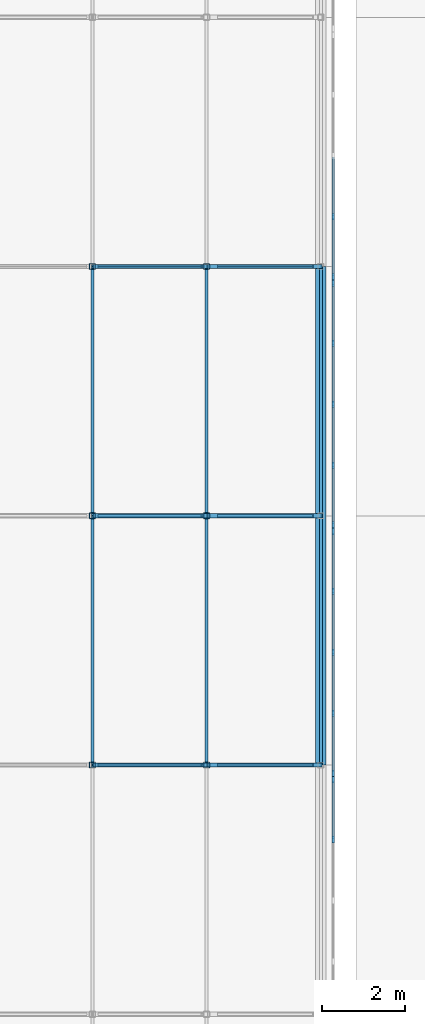
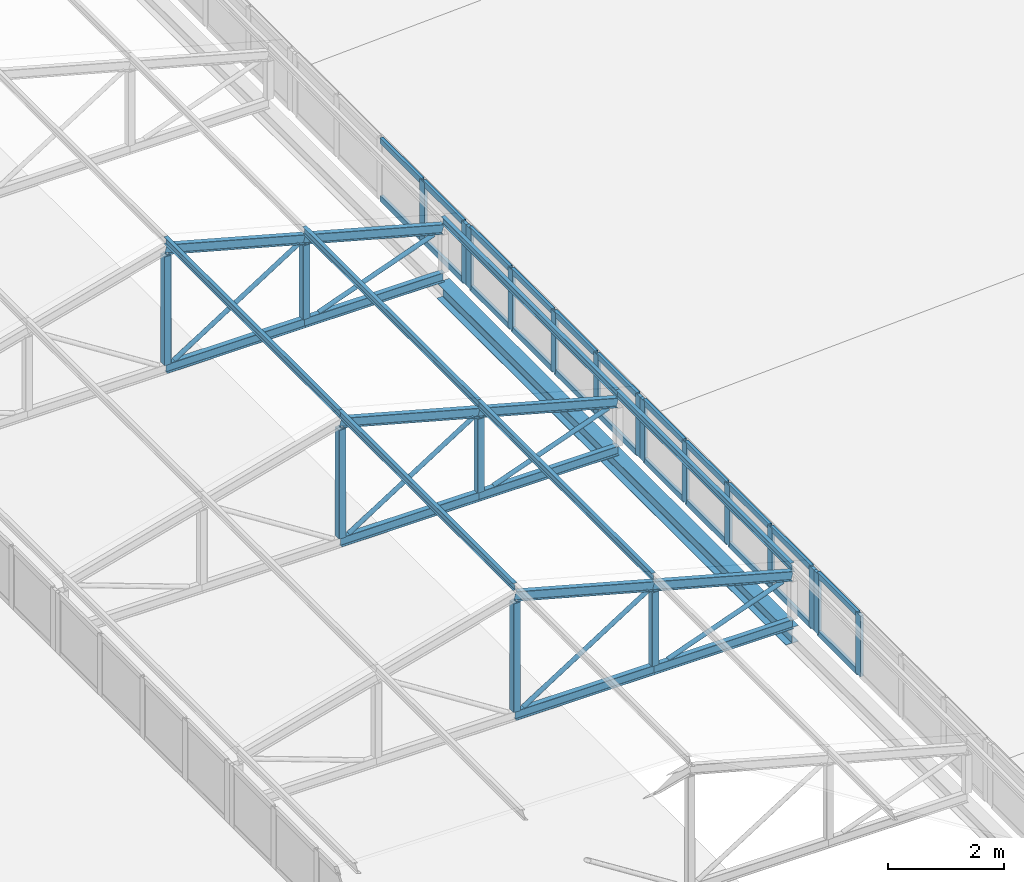
# One storey, part 55 of 94: 66 members, 1 beam, 4 elements without a shape of their own.
"""IFC4 building model written with IfcOpenShell, lengths in metres."""

from ifc_helpers import new_model, si_unit, direction, frame, origin, origin_2d, place, context, subcontext, project, spatial, rectangle, hollow_rectangle, hollow_circle, i_section, extrude, material, layer, layer_set, material_profile, profile_set, type_object, element, aggregate, save


model = new_model("IFC4")

# Units and contexts
model_context = context("Model", 3, precision=1e-05, world=origin(), true_north=direction((0.0, 1.0)))
body_context = subcontext(model_context, "Body", "Model", "MODEL_VIEW")
ifc_project = project(units=[si_unit("LENGTHUNIT", "METRE"), si_unit("AREAUNIT", "SQUARE_METRE"), si_unit("VOLUMEUNIT", "CUBIC_METRE"), si_unit("PLANEANGLEUNIT", "RADIAN"), si_unit("MASSUNIT", "GRAM", prefix="KILO")], contexts=[model_context])

# Site, building, storey
site_placement = place(None, origin())
site = spatial("IfcSite", under=ifc_project, at=site_placement, CompositionType="ELEMENT")
building_placement = place(site_placement, origin())
building = spatial("IfcBuilding", under=site, at=building_placement, Name="Lilac Gate Convention Centre", CompositionType="ELEMENT")
storey_placement = place(building_placement, frame((0.0, 0.0, 21.0)))
storey = spatial("IfcBuildingStorey", under=building, at=storey_placement, Name="L04", CompositionType="ELEMENT", Elevation=21.0)

# Curtain wall, members
ifc_material_1 = material(Name="Aluminium framed double glazing", Category="aluminium")
ifc_layer = layer(ifc_material_1, 0.199951171875)
ifc_layer_set = layer_set([ifc_layer], Name="Aluminium framed double glazing")
curtain_wall_type = type_object("IfcCurtainWallType", Name="Unitised curtain wall 1500", PredefinedType="NOTDEFINED", material=ifc_layer_set)
curtain_wall_1_placement = place(storey_placement, origin())
curtain_wall_1 = element("IfcCurtainWall", 1, at=curtain_wall_1_placement, inside=storey, type_object=curtain_wall_type, Name="Lantern clerestory E 27", PredefinedType="NOTDEFINED")
ifc_material_2 = material(Name="Aluminium alloy 6063", Category="aluminium")
ifc_material_profile_1 = material_profile(ifc_material_2, rectangle(XDim=0.06005859375, YDim=0.159912109375, at=origin_2d()), Name="Curtain wall mullion 60 x 160")
ifc_profile_set_1 = profile_set([ifc_material_profile_1], Name="Aluminium alloy 6063")
member_type_1 = type_object("IfcMemberType", Name="Curtain wall mullion 60 x 160", PredefinedType="MULLION", material=ifc_profile_set_1)
member_1_placement = place(storey_placement, frame((28.89990234375, 190.206298828125, 0.0), z_axis=(0.0, 0.0, 1.0), x_axis=(-1.0, 0.0, 0.0)))
member_1 = element("IfcMember", 2, at=member_1_placement, type_object=member_type_1, Name="CW mullion 4", PredefinedType="MULLION", context=body_context, shape_type="SweptSolid", body=[
    extrude(rectangle(XDim=0.06005859375, YDim=0.159912109375, at=origin_2d()), origin(), (0.0, 0.0, 1.0), 1.272216796875),
])
member_2_placement = place(storey_placement, frame((28.89990234375, 191.64501953125, 0.0), z_axis=(0.0, 0.0, 1.0), x_axis=(-1.0, 0.0, 0.0)))
member_2 = element("IfcMember", 3, at=member_2_placement, type_object=member_type_1, Name="CW mullion 5", PredefinedType="MULLION", context=body_context, shape_type="SweptSolid", body=[
    extrude(rectangle(XDim=0.06005859375, YDim=0.159912109375, at=origin_2d()), origin(), (0.0, 0.0, 1.0), 1.272216796875),
])

curtain_wall_2_placement = place(storey_placement, origin())
curtain_wall_2 = element("IfcCurtainWall", 4, at=curtain_wall_2_placement, inside=storey, type_object=curtain_wall_type, Name="Lantern clerestory E 28", PredefinedType="NOTDEFINED")
member_3_placement = place(storey_placement, frame((28.89990234375, 191.804931640625, 0.0), z_axis=(0.0, 0.0, 1.0), x_axis=(-1.0, 0.0, 0.0)))
member_3 = element("IfcMember", 5, at=member_3_placement, type_object=member_type_1, Name="CW mullion 1", PredefinedType="MULLION", context=body_context, shape_type="SweptSolid", body=[
    extrude(rectangle(XDim=0.06005859375, YDim=0.159912109375, at=origin_2d()), origin(), (0.0, 0.0, 1.0), 1.272216796875),
])
member_4_placement = place(storey_placement, frame((28.89990234375, 193.24365234375, 0.0), z_axis=(0.0, 0.0, 1.0), x_axis=(-1.0, 0.0, 0.0)))
member_4 = element("IfcMember", 6, at=member_4_placement, type_object=member_type_1, Name="CW mullion 2", PredefinedType="MULLION", context=body_context, shape_type="SweptSolid", body=[
    extrude(rectangle(XDim=0.06005859375, YDim=0.159912109375, at=origin_2d()), origin(), (0.0, 0.0, 1.0), 1.272216796875),
])
member_5_placement = place(storey_placement, frame((28.89990234375, 194.71240234375, 0.0), z_axis=(0.0, 0.0, 1.0), x_axis=(-1.0, 0.0, 0.0)))
member_5 = element("IfcMember", 7, at=member_5_placement, type_object=member_type_1, Name="CW mullion 3", PredefinedType="MULLION", context=body_context, shape_type="SweptSolid", body=[
    extrude(rectangle(XDim=0.06005859375, YDim=0.159912109375, at=origin_2d()), origin(), (0.0, 0.0, 1.0), 1.272216796875),
])
member_6_placement = place(storey_placement, frame((28.89990234375, 196.18115234375, 0.0), z_axis=(0.0, 0.0, 1.0), x_axis=(-1.0, 0.0, 0.0)))
member_6 = element("IfcMember", 8, at=member_6_placement, type_object=member_type_1, Name="CW mullion 4", PredefinedType="MULLION", context=body_context, shape_type="SweptSolid", body=[
    extrude(rectangle(XDim=0.06005859375, YDim=0.159912109375, at=origin_2d()), origin(), (0.0, 0.0, 1.0), 1.272216796875),
])
member_7_placement = place(storey_placement, frame((28.89990234375, 197.619873046875, 0.0), z_axis=(0.0, 0.0, 1.0), x_axis=(-1.0, 0.0, 0.0)))
member_7 = element("IfcMember", 9, at=member_7_placement, type_object=member_type_1, Name="CW mullion 5", PredefinedType="MULLION", context=body_context, shape_type="SweptSolid", body=[
    extrude(rectangle(XDim=0.06005859375, YDim=0.159912109375, at=origin_2d()), origin(), (0.0, 0.0, 1.0), 1.272216796875),
])

curtain_wall_3_placement = place(storey_placement, origin())
curtain_wall_3 = element("IfcCurtainWall", 10, at=curtain_wall_3_placement, inside=storey, type_object=curtain_wall_type, Name="Lantern clerestory E 29", PredefinedType="NOTDEFINED")
member_8_placement = place(storey_placement, frame((28.89990234375, 197.780029296875, 0.0), z_axis=(0.0, 0.0, 1.0), x_axis=(-1.0, 0.0, 0.0)))
member_8 = element("IfcMember", 11, at=member_8_placement, type_object=member_type_1, Name="CW mullion 1", PredefinedType="MULLION", context=body_context, shape_type="SweptSolid", body=[
    extrude(rectangle(XDim=0.06005859375, YDim=0.159912109375, at=origin_2d()), origin(), (0.0, 0.0, 1.0), 1.272216796875),
])
member_9_placement = place(storey_placement, frame((28.89990234375, 199.21875, 0.0), z_axis=(0.0, 0.0, 1.0), x_axis=(-1.0, 0.0, 0.0)))
member_9 = element("IfcMember", 12, at=member_9_placement, type_object=member_type_1, Name="CW mullion 2", PredefinedType="MULLION", context=body_context, shape_type="SweptSolid", body=[
    extrude(rectangle(XDim=0.06005859375, YDim=0.159912109375, at=origin_2d()), origin(), (0.0, 0.0, 1.0), 1.272216796875),
])
member_10_placement = place(storey_placement, frame((28.89990234375, 200.6875, 0.0), z_axis=(0.0, 0.0, 1.0), x_axis=(-1.0, 0.0, 0.0)))
member_10 = element("IfcMember", 13, at=member_10_placement, type_object=member_type_1, Name="CW mullion 3", PredefinedType="MULLION", context=body_context, shape_type="SweptSolid", body=[
    extrude(rectangle(XDim=0.06005859375, YDim=0.159912109375, at=origin_2d()), origin(), (0.0, 0.0, 1.0), 1.272216796875),
])
member_11_placement = place(storey_placement, frame((28.89990234375, 202.15625, 0.0), z_axis=(0.0, 0.0, 1.0), x_axis=(-1.0, 0.0, 0.0)))
member_11 = element("IfcMember", 14, at=member_11_placement, type_object=member_type_1, Name="CW mullion 4", PredefinedType="MULLION", context=body_context, shape_type="SweptSolid", body=[
    extrude(rectangle(XDim=0.06005859375, YDim=0.159912109375, at=origin_2d()), origin(), (0.0, 0.0, 1.0), 1.272216796875),
])
member_12_placement = place(storey_placement, frame((28.89990234375, 203.594970703125, 0.0), z_axis=(0.0, 0.0, 1.0), x_axis=(-1.0, 0.0, 0.0)))
member_12 = element("IfcMember", 15, at=member_12_placement, type_object=member_type_1, Name="CW mullion 5", PredefinedType="MULLION", context=body_context, shape_type="SweptSolid", body=[
    extrude(rectangle(XDim=0.06005859375, YDim=0.159912109375, at=origin_2d()), origin(), (0.0, 0.0, 1.0), 1.272216796875),
])

curtain_wall_4_placement = place(storey_placement, origin())
curtain_wall_4 = element("IfcCurtainWall", 16, at=curtain_wall_4_placement, inside=storey, type_object=curtain_wall_type, Name="Lantern clerestory E 30", PredefinedType="NOTDEFINED")
member_13_placement = place(storey_placement, frame((28.89990234375, 203.755126953125, 0.0), z_axis=(0.0, 0.0, 1.0), x_axis=(-1.0, 0.0, 0.0)))
member_13 = element("IfcMember", 17, at=member_13_placement, type_object=member_type_1, Name="CW mullion 1", PredefinedType="MULLION", context=body_context, shape_type="SweptSolid", body=[
    extrude(rectangle(XDim=0.06005859375, YDim=0.159912109375, at=origin_2d()), origin(), (0.0, 0.0, 1.0), 1.272216796875),
])
member_14_placement = place(storey_placement, frame((28.89990234375, 205.19384765625, 0.0), z_axis=(0.0, 0.0, 1.0), x_axis=(-1.0, 0.0, 0.0)))
member_14 = element("IfcMember", 18, at=member_14_placement, type_object=member_type_1, Name="CW mullion 2", PredefinedType="MULLION", context=body_context, shape_type="SweptSolid", body=[
    extrude(rectangle(XDim=0.06005859375, YDim=0.159912109375, at=origin_2d()), origin(), (0.0, 0.0, 1.0), 1.272216796875),
])

# Member
ifc_material_profile_2 = material_profile(ifc_material_2, rectangle(XDim=0.06005859375, YDim=0.1201171875, at=origin_2d()), Name="Curtain wall transom 60 x 120")
ifc_profile_set_2 = profile_set([ifc_material_profile_2], Name="Aluminium alloy 6063")
member_type_2 = type_object("IfcMemberType", Name="Curtain wall transom 60 x 120", PredefinedType="USERDEFINED", material=ifc_profile_set_2)
member_15_placement = place(storey_placement, frame((28.89990234375, 190.236328125, 0.030029296875), z_axis=(0.0, 1.0, 0.0), x_axis=(-1.0, 0.0, 0.0)))
member_15 = element("IfcMember", 19, at=member_15_placement, type_object=member_type_2, Name="CW transom 4.1", ObjectType="TRANSOM", PredefinedType="USERDEFINED", context=body_context, shape_type="SweptSolid", body=[
    extrude(rectangle(XDim=0.06005859375, YDim=0.1201171875, at=origin_2d()), origin(), (0.0, 0.0, 1.0), 1.378662109375),
])

member_16_placement = place(storey_placement, frame((28.89990234375, 190.236328125, 1.2421875), z_axis=(0.0, 1.0, 0.0), x_axis=(-1.0, 0.0, 0.0)))
member_16 = element("IfcMember", 20, at=member_16_placement, type_object=member_type_2, Name="CW transom 4.2", ObjectType="TRANSOM", PredefinedType="USERDEFINED", context=body_context, shape_type="SweptSolid", body=[
    extrude(rectangle(XDim=0.06005859375, YDim=0.1201171875, at=origin_2d()), origin(), (0.0, 0.0, 1.0), 1.378662109375),
])

aggregate(curtain_wall_1, [member_1, member_2, member_15, member_16])

member_17_placement = place(storey_placement, frame((28.89990234375, 191.8349609375, 0.030029296875), z_axis=(0.0, 1.0, 0.0), x_axis=(-1.0, 0.0, 0.0)))
member_17 = element("IfcMember", 21, at=member_17_placement, type_object=member_type_2, Name="CW transom 1.1", ObjectType="TRANSOM", PredefinedType="USERDEFINED", context=body_context, shape_type="SweptSolid", body=[
    extrude(rectangle(XDim=0.06005859375, YDim=0.1201171875, at=origin_2d()), origin(), (0.0, 0.0, 1.0), 1.378662109375),
])

member_18_placement = place(storey_placement, frame((28.89990234375, 191.8349609375, 1.2421875), z_axis=(0.0, 1.0, 0.0), x_axis=(-1.0, 0.0, 0.0)))
member_18 = element("IfcMember", 22, at=member_18_placement, type_object=member_type_2, Name="CW transom 1.2", ObjectType="TRANSOM", PredefinedType="USERDEFINED", context=body_context, shape_type="SweptSolid", body=[
    extrude(rectangle(XDim=0.06005859375, YDim=0.1201171875, at=origin_2d()), origin(), (0.0, 0.0, 1.0), 1.378662109375),
])

member_19_placement = place(storey_placement, frame((28.89990234375, 193.273681640625, 0.030029296875), z_axis=(0.0, 1.0, 0.0), x_axis=(-1.0, 0.0, 0.0)))
member_19 = element("IfcMember", 23, at=member_19_placement, type_object=member_type_2, Name="CW transom 2.1", ObjectType="TRANSOM", PredefinedType="USERDEFINED", context=body_context, shape_type="SweptSolid", body=[
    extrude(rectangle(XDim=0.06005859375, YDim=0.1201171875, at=origin_2d()), origin(), (0.0, 0.0, 1.0), 1.40869140625),
])

member_20_placement = place(storey_placement, frame((28.89990234375, 193.273681640625, 1.2421875), z_axis=(0.0, 1.0, 0.0), x_axis=(-1.0, 0.0, 0.0)))
member_20 = element("IfcMember", 24, at=member_20_placement, type_object=member_type_2, Name="CW transom 2.2", ObjectType="TRANSOM", PredefinedType="USERDEFINED", context=body_context, shape_type="SweptSolid", body=[
    extrude(rectangle(XDim=0.06005859375, YDim=0.1201171875, at=origin_2d()), origin(), (0.0, 0.0, 1.0), 1.40869140625),
])

member_21_placement = place(storey_placement, frame((28.89990234375, 194.742431640625, 0.030029296875), z_axis=(0.0, 1.0, 0.0), x_axis=(-1.0, 0.0, 0.0)))
member_21 = element("IfcMember", 25, at=member_21_placement, type_object=member_type_2, Name="CW transom 3.1", ObjectType="TRANSOM", PredefinedType="USERDEFINED", context=body_context, shape_type="SweptSolid", body=[
    extrude(rectangle(XDim=0.06005859375, YDim=0.1201171875, at=origin_2d()), origin(), (0.0, 0.0, 1.0), 1.40869140625),
])

member_22_placement = place(storey_placement, frame((28.89990234375, 194.742431640625, 1.2421875), z_axis=(0.0, 1.0, 0.0), x_axis=(-1.0, 0.0, 0.0)))
member_22 = element("IfcMember", 26, at=member_22_placement, type_object=member_type_2, Name="CW transom 3.2", ObjectType="TRANSOM", PredefinedType="USERDEFINED", context=body_context, shape_type="SweptSolid", body=[
    extrude(rectangle(XDim=0.06005859375, YDim=0.1201171875, at=origin_2d()), origin(), (0.0, 0.0, 1.0), 1.40869140625),
])

member_23_placement = place(storey_placement, frame((28.89990234375, 196.211181640625, 0.030029296875), z_axis=(0.0, 1.0, 0.0), x_axis=(-1.0, 0.0, 0.0)))
member_23 = element("IfcMember", 27, at=member_23_placement, type_object=member_type_2, Name="CW transom 4.1", ObjectType="TRANSOM", PredefinedType="USERDEFINED", context=body_context, shape_type="SweptSolid", body=[
    extrude(rectangle(XDim=0.06005859375, YDim=0.1201171875, at=origin_2d()), origin(), (0.0, 0.0, 1.0), 1.378662109375),
])

member_24_placement = place(storey_placement, frame((28.89990234375, 196.211181640625, 1.2421875), z_axis=(0.0, 1.0, 0.0), x_axis=(-1.0, 0.0, 0.0)))
member_24 = element("IfcMember", 28, at=member_24_placement, type_object=member_type_2, Name="CW transom 4.2", ObjectType="TRANSOM", PredefinedType="USERDEFINED", context=body_context, shape_type="SweptSolid", body=[
    extrude(rectangle(XDim=0.06005859375, YDim=0.1201171875, at=origin_2d()), origin(), (0.0, 0.0, 1.0), 1.378662109375),
])

aggregate(curtain_wall_2, [member_3, member_4, member_5, member_6, member_7, member_17, member_18, member_19, member_20, member_21, member_22, member_23, member_24])

member_25_placement = place(storey_placement, frame((28.89990234375, 197.81005859375, 0.030029296875), z_axis=(0.0, 1.0, 0.0), x_axis=(-1.0, 0.0, 0.0)))
member_25 = element("IfcMember", 29, at=member_25_placement, type_object=member_type_2, Name="CW transom 1.1", ObjectType="TRANSOM", PredefinedType="USERDEFINED", context=body_context, shape_type="SweptSolid", body=[
    extrude(rectangle(XDim=0.06005859375, YDim=0.1201171875, at=origin_2d()), origin(), (0.0, 0.0, 1.0), 1.378662109375),
])

member_26_placement = place(storey_placement, frame((28.89990234375, 197.81005859375, 1.2421875), z_axis=(0.0, 1.0, 0.0), x_axis=(-1.0, 0.0, 0.0)))
member_26 = element("IfcMember", 30, at=member_26_placement, type_object=member_type_2, Name="CW transom 1.2", ObjectType="TRANSOM", PredefinedType="USERDEFINED", context=body_context, shape_type="SweptSolid", body=[
    extrude(rectangle(XDim=0.06005859375, YDim=0.1201171875, at=origin_2d()), origin(), (0.0, 0.0, 1.0), 1.378662109375),
])

member_27_placement = place(storey_placement, frame((28.89990234375, 199.248779296875, 0.030029296875), z_axis=(0.0, 1.0, 0.0), x_axis=(-1.0, 0.0, 0.0)))
member_27 = element("IfcMember", 31, at=member_27_placement, type_object=member_type_2, Name="CW transom 2.1", ObjectType="TRANSOM", PredefinedType="USERDEFINED", context=body_context, shape_type="SweptSolid", body=[
    extrude(rectangle(XDim=0.06005859375, YDim=0.1201171875, at=origin_2d()), origin(), (0.0, 0.0, 1.0), 1.40869140625),
])

member_28_placement = place(storey_placement, frame((28.89990234375, 199.248779296875, 1.2421875), z_axis=(0.0, 1.0, 0.0), x_axis=(-1.0, 0.0, 0.0)))
member_28 = element("IfcMember", 32, at=member_28_placement, type_object=member_type_2, Name="CW transom 2.2", ObjectType="TRANSOM", PredefinedType="USERDEFINED", context=body_context, shape_type="SweptSolid", body=[
    extrude(rectangle(XDim=0.06005859375, YDim=0.1201171875, at=origin_2d()), origin(), (0.0, 0.0, 1.0), 1.40869140625),
])

member_29_placement = place(storey_placement, frame((28.89990234375, 200.717529296875, 0.030029296875), z_axis=(0.0, 1.0, 0.0), x_axis=(-1.0, 0.0, 0.0)))
member_29 = element("IfcMember", 33, at=member_29_placement, type_object=member_type_2, Name="CW transom 3.1", ObjectType="TRANSOM", PredefinedType="USERDEFINED", context=body_context, shape_type="SweptSolid", body=[
    extrude(rectangle(XDim=0.06005859375, YDim=0.1201171875, at=origin_2d()), origin(), (0.0, 0.0, 1.0), 1.40869140625),
])

member_30_placement = place(storey_placement, frame((28.89990234375, 200.717529296875, 1.2421875), z_axis=(0.0, 1.0, 0.0), x_axis=(-1.0, 0.0, 0.0)))
member_30 = element("IfcMember", 34, at=member_30_placement, type_object=member_type_2, Name="CW transom 3.2", ObjectType="TRANSOM", PredefinedType="USERDEFINED", context=body_context, shape_type="SweptSolid", body=[
    extrude(rectangle(XDim=0.06005859375, YDim=0.1201171875, at=origin_2d()), origin(), (0.0, 0.0, 1.0), 1.40869140625),
])

member_31_placement = place(storey_placement, frame((28.89990234375, 202.186279296875, 0.030029296875), z_axis=(0.0, 1.0, 0.0), x_axis=(-1.0, 0.0, 0.0)))
member_31 = element("IfcMember", 35, at=member_31_placement, type_object=member_type_2, Name="CW transom 4.1", ObjectType="TRANSOM", PredefinedType="USERDEFINED", context=body_context, shape_type="SweptSolid", body=[
    extrude(rectangle(XDim=0.06005859375, YDim=0.1201171875, at=origin_2d()), origin(), (0.0, 0.0, 1.0), 1.378662109375),
])

member_32_placement = place(storey_placement, frame((28.89990234375, 202.186279296875, 1.2421875), z_axis=(0.0, 1.0, 0.0), x_axis=(-1.0, 0.0, 0.0)))
member_32 = element("IfcMember", 36, at=member_32_placement, type_object=member_type_2, Name="CW transom 4.2", ObjectType="TRANSOM", PredefinedType="USERDEFINED", context=body_context, shape_type="SweptSolid", body=[
    extrude(rectangle(XDim=0.06005859375, YDim=0.1201171875, at=origin_2d()), origin(), (0.0, 0.0, 1.0), 1.378662109375),
])

aggregate(curtain_wall_3, [member_8, member_9, member_10, member_11, member_12, member_25, member_26, member_27, member_28, member_29, member_30, member_31, member_32])

member_33_placement = place(storey_placement, frame((28.89990234375, 203.78515625, 0.030029296875), z_axis=(0.0, 1.0, 0.0), x_axis=(-1.0, 0.0, 0.0)))
member_33 = element("IfcMember", 37, at=member_33_placement, type_object=member_type_2, Name="CW transom 1.1", ObjectType="TRANSOM", PredefinedType="USERDEFINED", context=body_context, shape_type="SweptSolid", body=[
    extrude(rectangle(XDim=0.06005859375, YDim=0.1201171875, at=origin_2d()), origin(), (0.0, 0.0, 1.0), 1.378662109375),
])

member_34_placement = place(storey_placement, frame((28.89990234375, 203.78515625, 1.2421875), z_axis=(0.0, 1.0, 0.0), x_axis=(-1.0, 0.0, 0.0)))
member_34 = element("IfcMember", 38, at=member_34_placement, type_object=member_type_2, Name="CW transom 1.2", ObjectType="TRANSOM", PredefinedType="USERDEFINED", context=body_context, shape_type="SweptSolid", body=[
    extrude(rectangle(XDim=0.06005859375, YDim=0.1201171875, at=origin_2d()), origin(), (0.0, 0.0, 1.0), 1.378662109375),
])

member_35_placement = place(storey_placement, frame((28.89990234375, 205.223876953125, 0.030029296875), z_axis=(0.0, 1.0, 0.0), x_axis=(-1.0, 0.0, 0.0)))
member_35 = element("IfcMember", 39, at=member_35_placement, type_object=member_type_2, Name="CW transom 2.1", ObjectType="TRANSOM", PredefinedType="USERDEFINED", context=body_context, shape_type="SweptSolid", body=[
    extrude(rectangle(XDim=0.06005859375, YDim=0.1201171875, at=origin_2d()), origin(), (0.0, 0.0, 1.0), 1.40869140625),
])

member_36_placement = place(storey_placement, frame((28.89990234375, 205.223876953125, 1.2421875), z_axis=(0.0, 1.0, 0.0), x_axis=(-1.0, 0.0, 0.0)))
member_36 = element("IfcMember", 40, at=member_36_placement, type_object=member_type_2, Name="CW transom 2.2", ObjectType="TRANSOM", PredefinedType="USERDEFINED", context=body_context, shape_type="SweptSolid", body=[
    extrude(rectangle(XDim=0.06005859375, YDim=0.1201171875, at=origin_2d()), origin(), (0.0, 0.0, 1.0), 1.40869140625),
])

aggregate(curtain_wall_4, [member_13, member_14, member_33, member_34, member_35, member_36])

# Members
ifc_material_3 = material(Name="Steel Q355B", Category="steel")
ifc_material_profile_3 = material_profile(ifc_material_3, i_section(OverallWidth=0.10009765625, OverallDepth=0.199951171875, WebThickness=0.005615234375, FlangeThickness=0.008056640625, FilletRadius=0.008056640625, at=origin_2d()), Name="HN200x100x5.5x8")
ifc_profile_set_3 = profile_set([ifc_material_profile_3], Name="Steel Q355B")
member_type_3 = type_object("IfcMemberType", Name="Lantern bottom chord HN200x100x5.5x8", PredefinedType="CHORD", material=ifc_profile_set_3)
for number, where, z_axis, x_axis, name in (
    (41, (23.10009765625, 192.0, 0.10009765625), (1.0, 0.0, 0.0), (0.0, 1.0, 0.0), "LB1 lantern truss 28 bottom chord 3"),
    (42, (25.85009765625, 192.0, 0.10009765625), (1.0, 0.0, 0.0), (0.0, 1.0, 0.0), "LB1 lantern truss 28 bottom chord 4"),
    (43, (23.10009765625, 198.0, 0.10009765625), (1.0, 0.0, 0.0), (0.0, 1.0, 0.0), "LB1 lantern truss 29 bottom chord 3"),
    (44, (25.85009765625, 198.0, 0.10009765625), (1.0, 0.0, 0.0), (0.0, 1.0, 0.0), "LB1 lantern truss 29 bottom chord 4"),
    (45, (23.10009765625, 204.0, 0.10009765625), (1.0, 0.0, 0.0), (0.0, 1.0, 0.0), "LB1 lantern truss 30 bottom chord 3"),
    (46, (25.85009765625, 204.0, 0.10009765625), (1.0, 0.0, 0.0), (0.0, 1.0, 0.0), "LB1 lantern truss 30 bottom chord 4"),
):
    element("IfcMember", number, at=place(storey_placement, frame(where, z_axis=z_axis, x_axis=x_axis)), inside=storey, type_object=member_type_3, Name=name, PredefinedType="CHORD", context=body_context, shape_type="SweptSolid", body=[
        extrude(i_section(OverallWidth=0.10009765625, OverallDepth=0.199951171875, WebThickness=0.005615234375, FlangeThickness=0.008056640625, FilletRadius=0.008056640625, at=origin_2d()), origin(), (0.0, 0.0, 1.0), 2.75),
    ])
ifc_material_profile_4 = material_profile(ifc_material_3, hollow_circle(Radius=0.04443359375, WallThickness=0.0048828125, at=origin_2d()), Name="CHS88.9x5")
ifc_profile_set_4 = profile_set([ifc_material_profile_4], Name="Steel Q355B")
member_type_4 = type_object("IfcMemberType", Name="Lantern diagonal CHS88.9x5", PredefinedType="BRACE", material=ifc_profile_set_4)
member_37_placement = place(storey_placement, frame((25.74169921875, 192.0, 1.781005859375), z_axis=(-0.843671728148, 0.0, -0.536859399773), x_axis=(0.0, -1.0, 0.0)))
element("IfcMember", 47, at=member_37_placement, inside=storey, type_object=member_type_4, Name="LW1 lantern truss 28 diagonal 3", PredefinedType="BRACE", context=body_context, shape_type="SweptSolid", body=[
    extrude(hollow_circle(Radius=0.04443359375, WallThickness=0.0048828125, at=origin_2d()), origin(), (0.0, 0.0, 1.0), 2.945068359375),
])
member_38_placement = place(storey_placement, frame((28.410400390625, 192.0, 1.031005859375), z_axis=(-0.939793423488, 0.0, -0.341743063087), x_axis=(0.0, -1.0, 0.0)))
element("IfcMember", 48, at=member_38_placement, inside=storey, type_object=member_type_4, Name="LW1 lantern truss 28 diagonal 4", PredefinedType="BRACE", context=body_context, shape_type="SweptSolid", body=[
    extrude(hollow_circle(Radius=0.04443359375, WallThickness=0.0048828125, at=origin_2d()), origin(), (0.0, 0.0, 1.0), 2.431884765625),
])
member_39_placement = place(storey_placement, frame((25.74169921875, 198.0, 1.781005859375), z_axis=(-0.843671728148, 0.0, -0.536859399773), x_axis=(0.0, -1.0, 0.0)))
element("IfcMember", 49, at=member_39_placement, inside=storey, type_object=member_type_4, Name="LW1 lantern truss 29 diagonal 3", PredefinedType="BRACE", context=body_context, shape_type="SweptSolid", body=[
    extrude(hollow_circle(Radius=0.04443359375, WallThickness=0.0048828125, at=origin_2d()), origin(), (0.0, 0.0, 1.0), 2.945068359375),
])
member_40_placement = place(storey_placement, frame((28.410400390625, 198.0, 1.031005859375), z_axis=(-0.939793423488, 0.0, -0.341743063087), x_axis=(0.0, -1.0, 0.0)))
element("IfcMember", 50, at=member_40_placement, inside=storey, type_object=member_type_4, Name="LW1 lantern truss 29 diagonal 4", PredefinedType="BRACE", context=body_context, shape_type="SweptSolid", body=[
    extrude(hollow_circle(Radius=0.04443359375, WallThickness=0.0048828125, at=origin_2d()), origin(), (0.0, 0.0, 1.0), 2.431884765625),
])
member_41_placement = place(storey_placement, frame((25.74169921875, 204.0, 1.781005859375), z_axis=(-0.843671728148, 0.0, -0.536859399773), x_axis=(0.0, -1.0, 0.0)))
element("IfcMember", 51, at=member_41_placement, inside=storey, type_object=member_type_4, Name="LW1 lantern truss 30 diagonal 3", PredefinedType="BRACE", context=body_context, shape_type="SweptSolid", body=[
    extrude(hollow_circle(Radius=0.04443359375, WallThickness=0.0048828125, at=origin_2d()), origin(), (0.0, 0.0, 1.0), 2.945068359375),
])
member_42_placement = place(storey_placement, frame((28.410400390625, 204.0, 1.031005859375), z_axis=(-0.939793423488, 0.0, -0.341743063087), x_axis=(0.0, -1.0, 0.0)))
element("IfcMember", 52, at=member_42_placement, inside=storey, type_object=member_type_4, Name="LW1 lantern truss 30 diagonal 4", PredefinedType="BRACE", context=body_context, shape_type="SweptSolid", body=[
    extrude(hollow_circle(Radius=0.04443359375, WallThickness=0.0048828125, at=origin_2d()), origin(), (0.0, 0.0, 1.0), 2.431884765625),
])
ifc_material_profile_5 = material_profile(ifc_material_3, hollow_rectangle(XDim=0.139892578125, YDim=0.139892578125, WallThickness=0.0048828125, InnerFilletRadius=0.0048828125, OuterFilletRadius=0.010009765625, at=origin_2d()), Name="SHS140x140x5")
ifc_profile_set_5 = profile_set([ifc_material_profile_5], Name="Steel Q355B")
member_type_5 = type_object("IfcMemberType", Name="Lantern post SHS140x140x5", PredefinedType="STRUT", material=ifc_profile_set_5)
member_43_placement = place(storey_placement, frame((23.10009765625, 192.0, 0.199951171875), z_axis=(0.0, 0.0, 1.0), x_axis=(1.0, 0.0, 0.0)))
element("IfcMember", 53, at=member_43_placement, inside=storey, type_object=member_type_5, Name="LV1 lantern truss 28 post 3", PredefinedType="STRUT", context=body_context, shape_type="SweptSolid", body=[
    extrude(hollow_rectangle(XDim=0.139892578125, YDim=0.139892578125, WallThickness=0.0048828125, InnerFilletRadius=0.0048828125, OuterFilletRadius=0.010009765625, at=origin_2d()), origin(), (0.0, 0.0, 1.0), 2.277099609375),
])
member_44_placement = place(storey_placement, frame((25.85009765625, 192.0, 0.199951171875), z_axis=(0.0, 0.0, 1.0), x_axis=(1.0, 0.0, 0.0)))
element("IfcMember", 54, at=member_44_placement, inside=storey, type_object=member_type_5, Name="LV1 lantern truss 28 post 4", PredefinedType="STRUT", context=body_context, shape_type="SweptSolid", body=[
    extrude(hollow_rectangle(XDim=0.139892578125, YDim=0.139892578125, WallThickness=0.0048828125, InnerFilletRadius=0.0048828125, OuterFilletRadius=0.010009765625, at=origin_2d()), origin(), (0.0, 0.0, 1.0), 1.546142578125),
])
member_45_placement = place(storey_placement, frame((23.10009765625, 198.0, 0.199951171875), z_axis=(0.0, 0.0, 1.0), x_axis=(1.0, 0.0, 0.0)))
element("IfcMember", 55, at=member_45_placement, inside=storey, type_object=member_type_5, Name="LV1 lantern truss 29 post 3", PredefinedType="STRUT", context=body_context, shape_type="SweptSolid", body=[
    extrude(hollow_rectangle(XDim=0.139892578125, YDim=0.139892578125, WallThickness=0.0048828125, InnerFilletRadius=0.0048828125, OuterFilletRadius=0.010009765625, at=origin_2d()), origin(), (0.0, 0.0, 1.0), 2.277099609375),
])
member_46_placement = place(storey_placement, frame((25.85009765625, 198.0, 0.199951171875), z_axis=(0.0, 0.0, 1.0), x_axis=(1.0, 0.0, 0.0)))
element("IfcMember", 56, at=member_46_placement, inside=storey, type_object=member_type_5, Name="LV1 lantern truss 29 post 4", PredefinedType="STRUT", context=body_context, shape_type="SweptSolid", body=[
    extrude(hollow_rectangle(XDim=0.139892578125, YDim=0.139892578125, WallThickness=0.0048828125, InnerFilletRadius=0.0048828125, OuterFilletRadius=0.010009765625, at=origin_2d()), origin(), (0.0, 0.0, 1.0), 1.546142578125),
])
member_47_placement = place(storey_placement, frame((23.10009765625, 204.0, 0.199951171875), z_axis=(0.0, 0.0, 1.0), x_axis=(1.0, 0.0, 0.0)))
element("IfcMember", 57, at=member_47_placement, inside=storey, type_object=member_type_5, Name="LV1 lantern truss 30 post 3", PredefinedType="STRUT", context=body_context, shape_type="SweptSolid", body=[
    extrude(hollow_rectangle(XDim=0.139892578125, YDim=0.139892578125, WallThickness=0.0048828125, InnerFilletRadius=0.0048828125, OuterFilletRadius=0.010009765625, at=origin_2d()), origin(), (0.0, 0.0, 1.0), 2.277099609375),
])
member_48_placement = place(storey_placement, frame((25.85009765625, 204.0, 0.199951171875), z_axis=(0.0, 0.0, 1.0), x_axis=(1.0, 0.0, 0.0)))
element("IfcMember", 58, at=member_48_placement, inside=storey, type_object=member_type_5, Name="LV1 lantern truss 30 post 4", PredefinedType="STRUT", context=body_context, shape_type="SweptSolid", body=[
    extrude(hollow_rectangle(XDim=0.139892578125, YDim=0.139892578125, WallThickness=0.0048828125, InnerFilletRadius=0.0048828125, OuterFilletRadius=0.010009765625, at=origin_2d()), origin(), (0.0, 0.0, 1.0), 1.546142578125),
])
ifc_material_profile_6 = material_profile(ifc_material_3, i_section(OverallWidth=0.074951171875, OverallDepth=0.14990234375, WebThickness=0.0048828125, FlangeThickness=0.007080078125, FilletRadius=0.008056640625, at=origin_2d()), Name="HN150x75x5x7")
ifc_profile_set_6 = profile_set([ifc_material_profile_6], Name="Steel Q355B")
member_type_6 = type_object("IfcMemberType", Name="Lantern purlin HN150x75x5x7", PredefinedType="PURLIN", material=ifc_profile_set_6)
for number, where, z_axis, x_axis, name in (
    (59, (23.10009765625, 192.0, 2.779052734375), (0.0, 1.0, 0.0), (-1.0, 0.0, 0.0), "LP1 lantern purlin bay 28 line 3"),
    (60, (23.10009765625, 198.0, 2.779052734375), (0.0, 1.0, 0.0), (-1.0, 0.0, 0.0), "LP1 lantern purlin bay 29 line 3"),
    (61, (25.85009765625, 192.0, 2.029052734375), (0.0, 1.0, 0.0), (-1.0, 0.0, 0.0), "LP1 lantern purlin bay 28 line 4"),
    (62, (25.85009765625, 198.0, 2.029052734375), (0.0, 1.0, 0.0), (-1.0, 0.0, 0.0), "LP1 lantern purlin bay 29 line 4"),
    (63, (28.60009765625, 192.0, 1.279052734375), (0.0, 1.0, 0.0), (-1.0, 0.0, 0.0), "LP1 lantern purlin bay 28 line 5"),
    (64, (28.60009765625, 198.0, 1.279052734375), (0.0, 1.0, 0.0), (-1.0, 0.0, 0.0), "LP1 lantern purlin bay 29 line 5"),
):
    element("IfcMember", number, at=place(storey_placement, frame(where, z_axis=z_axis, x_axis=x_axis)), inside=storey, type_object=member_type_6, Name=name, PredefinedType="PURLIN", context=body_context, shape_type="SweptSolid", body=[
        extrude(i_section(OverallWidth=0.074951171875, OverallDepth=0.14990234375, WebThickness=0.0048828125, FlangeThickness=0.007080078125, FilletRadius=0.008056640625, at=origin_2d()), origin(), (0.0, 0.0, 1.0), 6.0),
    ])
ifc_material_profile_7 = material_profile(ifc_material_3, i_section(OverallWidth=0.10009765625, OverallDepth=0.199951171875, WebThickness=0.005615234375, FlangeThickness=0.008056640625, FilletRadius=0.008056640625, at=origin_2d()), Name="HN200x100x5.5x8")
ifc_profile_set_7 = profile_set([ifc_material_profile_7], Name="Steel Q355B")
member_type_7 = type_object("IfcMemberType", Name="Lantern top chord HN200x100x5.5x8", PredefinedType="CHORD", material=ifc_profile_set_7)
for number, where, z_axis, x_axis, name in (
    (65, (23.10009765625, 192.0, 2.60009765625), (0.964763821238, 0.0, -0.263117405792), (0.0, 1.0, 0.0), "LT1 lantern truss 28 top chord 3"),
    (66, (25.85009765625, 192.0, 1.85009765625), (0.964763821238, 0.0, -0.263117405792), (0.0, 1.0, 0.0), "LT1 lantern truss 28 top chord 4"),
    (67, (23.10009765625, 198.0, 2.60009765625), (0.964763821238, 0.0, -0.263117405792), (0.0, 1.0, 0.0), "LT1 lantern truss 29 top chord 3"),
    (68, (25.85009765625, 198.0, 1.85009765625), (0.964763821238, 0.0, -0.263117405792), (0.0, 1.0, 0.0), "LT1 lantern truss 29 top chord 4"),
    (69, (23.10009765625, 204.0, 2.60009765625), (0.964763821238, 0.0, -0.263117405792), (0.0, 1.0, 0.0), "LT1 lantern truss 30 top chord 3"),
    (70, (25.85009765625, 204.0, 1.85009765625), (0.964763821238, 0.0, -0.263117405792), (0.0, 1.0, 0.0), "LT1 lantern truss 30 top chord 4"),
):
    element("IfcMember", number, at=place(storey_placement, frame(where, z_axis=z_axis, x_axis=x_axis)), inside=storey, type_object=member_type_7, Name=name, PredefinedType="CHORD", context=body_context, shape_type="SweptSolid", body=[
        extrude(i_section(OverallWidth=0.10009765625, OverallDepth=0.199951171875, WebThickness=0.005615234375, FlangeThickness=0.008056640625, FilletRadius=0.008056640625, at=origin_2d()), origin(), (0.0, 0.0, 1.0), 2.850341796875),
    ])

# Beam
ifc_material_profile_8 = material_profile(ifc_material_3, i_section(OverallWidth=0.25, OverallDepth=0.340087890625, WebThickness=0.009033203125, FlangeThickness=0.013916015625, FilletRadius=0.012939453125, at=origin_2d()), Name="HM340x250x9x14")
ifc_profile_set_8 = profile_set([ifc_material_profile_8], Name="Steel Q355B")
beam_type = type_object("IfcBeamType", Name="Steel edge beam HM340x250x9x14", PredefinedType="BEAM", material=ifc_profile_set_8)
beam_placement = place(storey_placement, frame((28.60009765625, 192.0, -0.169921875), z_axis=(0.0, 1.0, 0.0), x_axis=(-1.0, 0.0, 0.0)))
element("IfcBeam", 71, at=beam_placement, inside=storey, type_object=beam_type, Name="LE1 lantern edge beam 15", PredefinedType="BEAM", context=body_context, shape_type="SweptSolid", body=[
    extrude(i_section(OverallWidth=0.25, OverallDepth=0.340087890625, WebThickness=0.009033203125, FlangeThickness=0.013916015625, FilletRadius=0.012939453125, at=origin_2d()), origin(), (0.0, 0.0, 1.0), 12.0),
])

save(model, "model.ifc")
